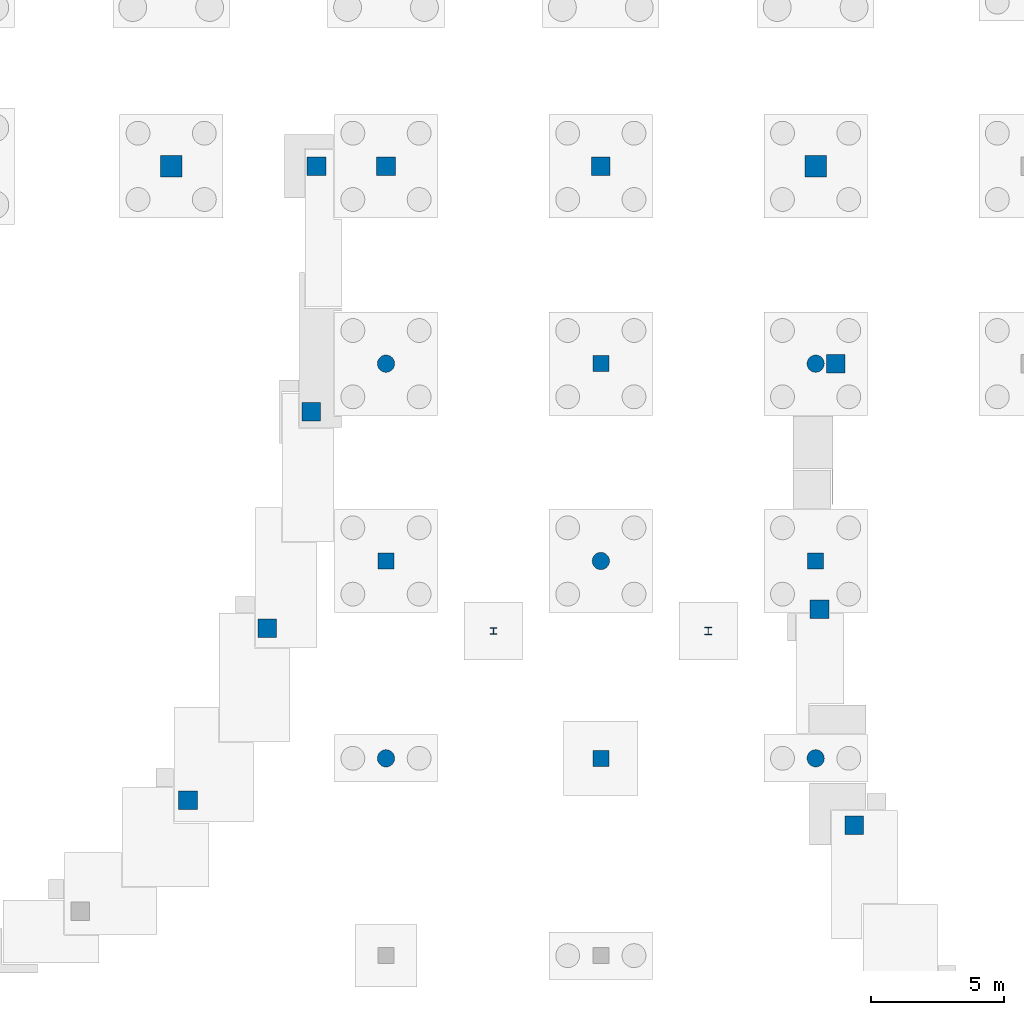
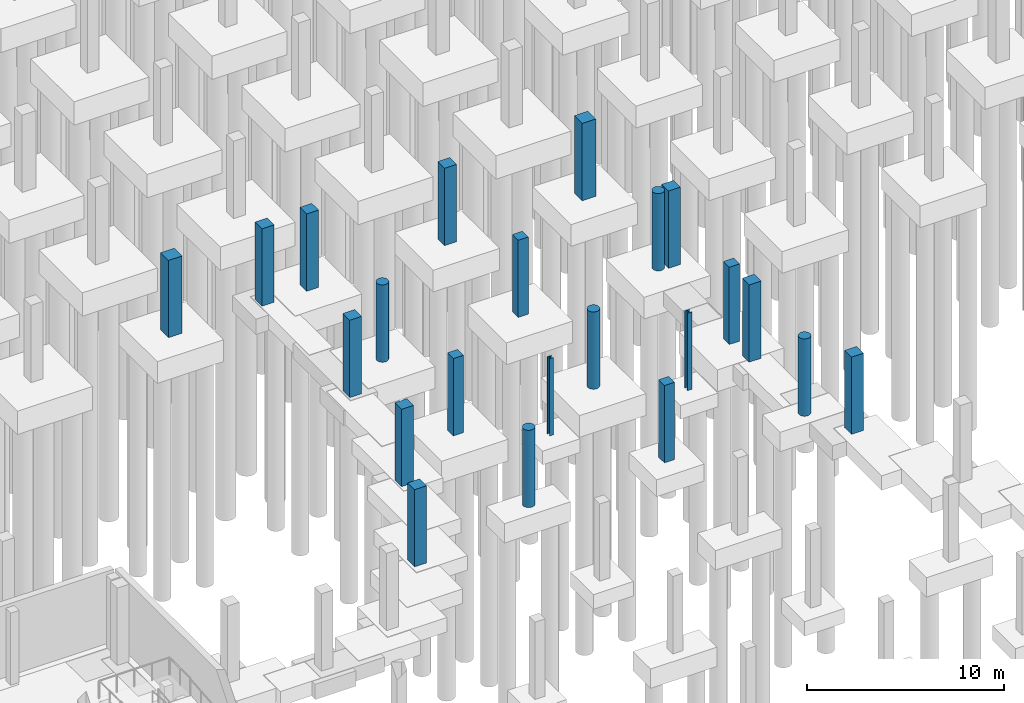
# One storey, part 17 of 37: 22 columns.
"""IFC4 building model written with IfcOpenShell, lengths in metres."""

from ifc_helpers import new_model, si_unit, direction, frame, origin, origin_2d, place, context, subcontext, project, spatial, rectangle, circle, i_section, extrude, material, material_profile, profile_set, type_object, element, save


model = new_model("IFC4")

# Units and contexts
model_context = context("Model", 3, precision=1e-05, world=origin(), true_north=direction((0.0, 1.0)))
body_context = subcontext(model_context, "Body", "Model", "MODEL_VIEW")
ifc_project = project(units=[si_unit("LENGTHUNIT", "METRE"), si_unit("AREAUNIT", "SQUARE_METRE"), si_unit("VOLUMEUNIT", "CUBIC_METRE"), si_unit("PLANEANGLEUNIT", "RADIAN"), si_unit("MASSUNIT", "GRAM", prefix="KILO")], contexts=[model_context])

# Site, building, storey
site_placement = place(None, origin())
site = spatial("IfcSite", under=ifc_project, at=site_placement, CompositionType="ELEMENT")
building_placement = place(site_placement, origin())
building = spatial("IfcBuilding", under=site, at=building_placement, Name="Kaelora Sail Theatre", CompositionType="ELEMENT")
storey_placement = place(building_placement, frame((0.0, 0.0, -4.800048828125)))
storey = spatial("IfcBuildingStorey", under=building, at=storey_placement, Name="B1", CompositionType="ELEMENT", Elevation=-4.800048828125)

# Columns
ifc_material_1 = material(Name="Steel S355", Category="steel")
ifc_material_profile_1 = material_profile(ifc_material_1, i_section(OverallWidth=0.239990234375, OverallDepth=0.239990234375, WebThickness=0.010009765625, FlangeThickness=0.01708984375, FilletRadius=0.02099609375, at=origin_2d()), Name="HEB 240")
ifc_profile_set_1 = profile_set([ifc_material_profile_1], Name="Steel S355")
column_type_1 = type_object("IfcColumnType", Name="STR-COL-C-HEB240", PredefinedType="COLUMN", material=ifc_profile_set_1)
column_1_placement = place(storey_placement, frame((110.85009765625, 43.5, 0.0), z_axis=(0.0, 0.0, 1.0), x_axis=(1.0, 0.0, 0.0)))
element("IfcColumn", 1, at=column_1_placement, inside=storey, type_object=column_type_1, Name="Understage/Link substructure column 03", PredefinedType="COLUMN", context=body_context, shape_type="SweptSolid", body=[
    extrude(i_section(OverallWidth=0.239990234375, OverallDepth=0.239990234375, WebThickness=0.010009765625, FlangeThickness=0.01708984375, FilletRadius=0.02099609375, at=origin_2d()), origin(), (0.0, 0.0, 1.0), 4.800048828125),
])
ifc_material_2 = material(Name="Steel S355", Category="steel")
ifc_material_profile_2 = material_profile(ifc_material_2, i_section(OverallWidth=0.280029296875, OverallDepth=0.280029296875, WebThickness=0.010498046875, FlangeThickness=0.01806640625, FilletRadius=0.02392578125, at=origin_2d()), Name="HEB 280")
ifc_profile_set_2 = profile_set([ifc_material_profile_2], Name="Steel S355")
column_type_2 = type_object("IfcColumnType", Name="STR-COL-C-HEB280", PredefinedType="COLUMN", material=ifc_profile_set_2)
column_2_placement = place(storey_placement, frame((118.949951171875, 43.5, 0.0), z_axis=(0.0, 0.0, 1.0), x_axis=(1.0, 0.0, 0.0)))
element("IfcColumn", 2, at=column_2_placement, inside=storey, type_object=column_type_2, Name="Understage/Link substructure column 04", PredefinedType="COLUMN", context=body_context, shape_type="SweptSolid", body=[
    extrude(i_section(OverallWidth=0.280029296875, OverallDepth=0.280029296875, WebThickness=0.010498046875, FlangeThickness=0.01806640625, FilletRadius=0.02392578125, at=origin_2d()), origin(), (0.0, 0.0, 1.0), 4.800048828125),
])
ifc_material_3 = material(Name="Concrete C40/50", Category="concrete")
ifc_material_profile_3 = material_profile(ifc_material_3, rectangle(XDim=0.60009765625, YDim=0.60009765625, at=origin_2d()), Name="RC-COL 600x600")
ifc_profile_set_3 = profile_set([ifc_material_profile_3], Name="Concrete C40/50")
column_type_3 = type_object("IfcColumnType", Name="STR-COL-C-RC600", PredefinedType="COLUMN", material=ifc_profile_set_3)
for number, where, z_axis, x_axis, name in (
    (3, (106.800048828125, 46.139892578125, 0.0), (0.0, 0.0, 1.0), (1.0, 0.0, 0.0), "Column 14/G (B1)"),
    (4, (114.89990234375, 38.699951171875, 0.0), (0.0, 0.0, 1.0), (1.0, 0.0, 0.0), "Column 15/F (B1)"),
    (5, (114.89990234375, 53.580078125, 0.0), (0.0, 0.0, 1.0), (1.0, 0.0, 0.0), "Column 15/H (B1)"),
    (6, (123.0, 46.139892578125, 0.0), (0.0, 0.0, 1.0), (1.0, 0.0, 0.0), "Column 16/G (B1)"),
):
    element("IfcColumn", number, at=place(storey_placement, frame(where, z_axis=z_axis, x_axis=x_axis)), inside=storey, type_object=column_type_3, Name=name, PredefinedType="COLUMN", context=body_context, shape_type="SweptSolid", body=[
        extrude(rectangle(XDim=0.60009765625, YDim=0.60009765625, at=origin_2d()), origin(), (0.0, 0.0, 1.0), 4.800048828125),
    ])
ifc_material_4 = material(Name="Concrete C45/55", Category="concrete")
ifc_material_profile_4 = material_profile(ifc_material_4, rectangle(XDim=0.699951171875, YDim=0.699951171875, at=origin_2d()), Name="RC-COL 700x700")
ifc_profile_set_4 = profile_set([ifc_material_profile_4], Name="Concrete C45/55")
column_type_4 = type_object("IfcColumnType", Name="STR-COL-C-RC700", PredefinedType="COLUMN", material=ifc_profile_set_4)
for number, where, z_axis, x_axis, name in (
    (7, (106.800048828125, 61.02001953125, 0.0), (0.0, 0.0, 1.0), (1.0, 0.0, 0.0), "Column 14/I (B1)"),
    (8, (114.89990234375, 61.02001953125, 0.0), (0.0, 0.0, 1.0), (1.0, 0.0, 0.0), "Column 15/I (B1)"),
    (9, (104.179931640625, 61.02001953125, 0.0), (0.0, 0.0, 1.0), (1.0, 0.0, 0.0), "Studio Theatre north corner column NE (B1)"),
    (10, (103.98291015625, 51.76416015625, 0.0), (0.0, 0.0, 1.0), (1.0, 0.0, 0.0), "Studio Theatre drum column K02 (B1)"),
    (11, (102.3193359375, 43.604736328125, 0.0), (0.0, 0.0, 1.0), (1.0, 0.0, 0.0), "Studio Theatre drum column K04 (B1)"),
    (12, (99.334716796875, 37.115234375, 0.0), (0.0, 0.0, 1.0), (1.0, 0.0, 0.0), "Studio Theatre drum column K06 (B1)"),
    (13, (123.75, 53.580078125, 0.0), (0.0, 0.0, 1.0), (1.0, 0.0, 0.0), "Black-Box Theatre north corner column NW (B1)"),
    (14, (124.451171875, 36.177978515625, 0.0), (0.0, 0.0, 1.0), (1.0, 0.0, 0.0), "Black-Box Theatre drum column K16 (B1)"),
    (15, (123.1455078125, 44.324951171875, 0.0), (0.0, 0.0, 1.0), (1.0, 0.0, 0.0), "Black-Box Theatre drum column K18 (B1)"),
):
    element("IfcColumn", number, at=place(storey_placement, frame(where, z_axis=z_axis, x_axis=x_axis)), inside=storey, type_object=column_type_4, Name=name, PredefinedType="COLUMN", context=body_context, shape_type="SweptSolid", body=[
        extrude(rectangle(XDim=0.699951171875, YDim=0.699951171875, at=origin_2d()), origin(), (0.0, 0.0, 1.0), 4.800048828125),
    ])
ifc_material_5 = material(Name="Concrete C50/60", Category="concrete")
ifc_material_profile_5 = material_profile(ifc_material_5, rectangle(XDim=0.800048828125, YDim=0.800048828125, at=origin_2d()), Name="RC-COL 800x800")
ifc_profile_set_5 = profile_set([ifc_material_profile_5], Name="Concrete C50/60")
column_type_5 = type_object("IfcColumnType", Name="STR-COL-C-RC800", PredefinedType="COLUMN", material=ifc_profile_set_5)
for number, where, z_axis, x_axis, name in (
    (16, (98.699951171875, 61.02001953125, 0.0), (0.0, 0.0, 1.0), (1.0, 0.0, 0.0), "Column 13/I (B1)"),
    (17, (123.0, 61.02001953125, 0.0), (0.0, 0.0, 1.0), (1.0, 0.0, 0.0), "Column 16/I (B1)"),
):
    element("IfcColumn", number, at=place(storey_placement, frame(where, z_axis=z_axis, x_axis=x_axis)), inside=storey, type_object=column_type_5, Name=name, PredefinedType="COLUMN", context=body_context, shape_type="SweptSolid", body=[
        extrude(rectangle(XDim=0.800048828125, YDim=0.800048828125, at=origin_2d()), origin(), (0.0, 0.0, 1.0), 4.800048828125),
    ])
ifc_material_6 = material(Name="Concrete C45/55", Category="concrete")
ifc_material_profile_6 = material_profile(ifc_material_6, circle(Radius=0.324951171875, at=origin_2d()), Name="RC-CCOL D650")
ifc_profile_set_6 = profile_set([ifc_material_profile_6], Name="Concrete C45/55")
column_type_6 = type_object("IfcColumnType", Name="STR-COL-C-RCD650", PredefinedType="COLUMN", material=ifc_profile_set_6)
for number, where, z_axis, x_axis, name in (
    (18, (106.800048828125, 38.699951171875, 0.0), (0.0, 0.0, 1.0), (1.0, 0.0, 0.0), "Column 14/F (B1)"),
    (19, (106.800048828125, 53.580078125, 0.0), (0.0, 0.0, 1.0), (1.0, 0.0, 0.0), "Column 14/H (B1)"),
    (20, (114.89990234375, 46.139892578125, 0.0), (0.0, 0.0, 1.0), (1.0, 0.0, 0.0), "Column 15/G (B1)"),
    (21, (123.0, 38.699951171875, 0.0), (0.0, 0.0, 1.0), (1.0, 0.0, 0.0), "Column 16/F (B1)"),
    (22, (123.0, 53.580078125, 0.0), (0.0, 0.0, 1.0), (1.0, 0.0, 0.0), "Column 16/H (B1)"),
):
    element("IfcColumn", number, at=place(storey_placement, frame(where, z_axis=z_axis, x_axis=x_axis)), inside=storey, type_object=column_type_6, Name=name, PredefinedType="COLUMN", context=body_context, shape_type="SweptSolid", body=[
        extrude(circle(Radius=0.324951171875, at=origin_2d()), origin(), (0.0, 0.0, 1.0), 4.800048828125),
    ])

save(model, "model.ifc")
